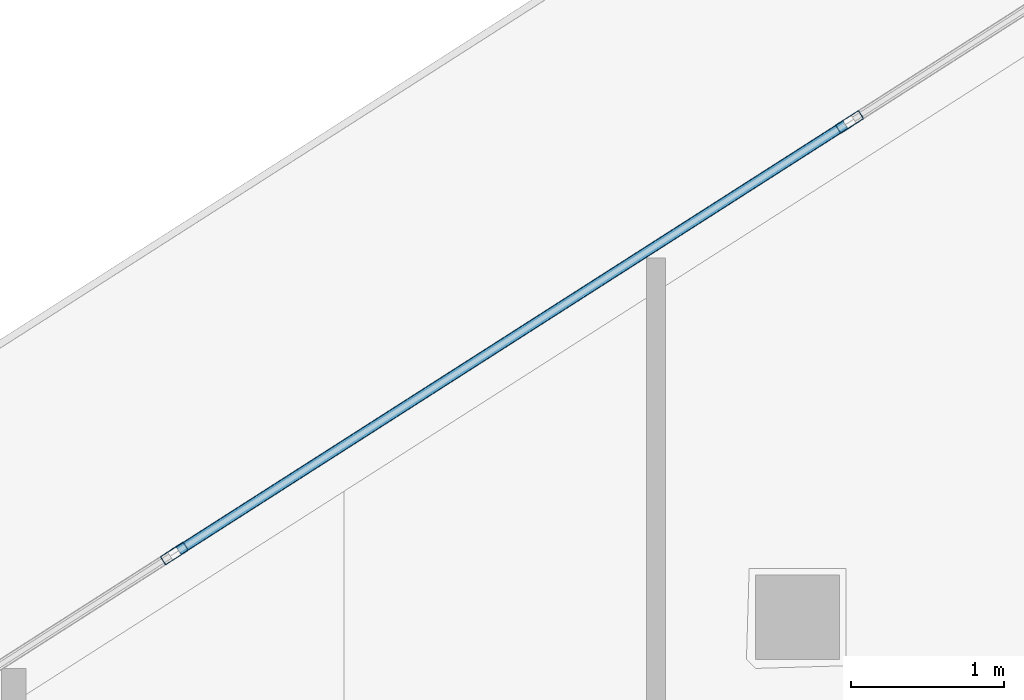
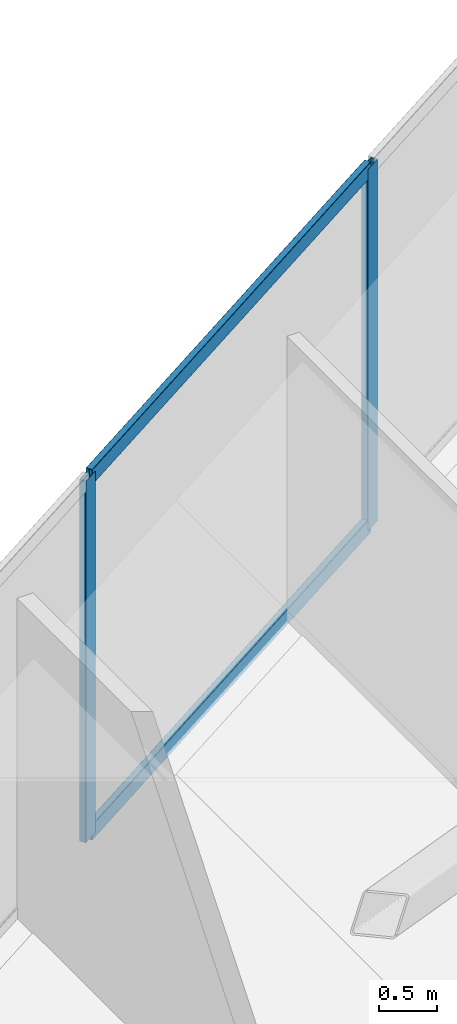
# One storey, part 22 of 43: 4 members, 1 element without a shape of its own.
"""IFC4 building model written with IfcOpenShell, lengths in metres."""

from ifc_helpers import new_model, si_unit, direction, frame, origin, origin_2d, place, context, subcontext, project, spatial, hollow_rectangle, extrude, material, layer, layer_set, material_profile, profile_set, type_object, element, aggregate, save


model = new_model("IFC4")

# Units and contexts
model_context = context("Model", 3, precision=1e-05, world=origin(), true_north=direction((0.0, 1.0)))
body_context = subcontext(model_context, "Body", "Model", "MODEL_VIEW")
ifc_project = project(units=[si_unit("LENGTHUNIT", "METRE"), si_unit("AREAUNIT", "SQUARE_METRE"), si_unit("VOLUMEUNIT", "CUBIC_METRE"), si_unit("PLANEANGLEUNIT", "RADIAN"), si_unit("MASSUNIT", "GRAM", prefix="KILO")], contexts=[model_context])

# Site, building, storey
site_placement = place(None, origin())
site = spatial("IfcSite", under=ifc_project, at=site_placement, CompositionType="ELEMENT")
building_placement = place(site_placement, origin())
building = spatial("IfcBuilding", under=site, at=building_placement, Name="Qorvath Tower", CompositionType="ELEMENT")
storey_placement = place(building_placement, frame((0.0, 0.0, 213.14990234375)))
storey = spatial("IfcBuildingStorey", under=building, at=storey_placement, Name="L49", CompositionType="ELEMENT", Elevation=213.14990234375)

# Curtain wall, members
ifc_material_1 = material(Name="Anodised aluminium and triple low-E glass", Category="aluminium")
ifc_layer = layer(ifc_material_1, 0.179931640625)
ifc_layer_set = layer_set([ifc_layer], Name="CW-SYS-3")
curtain_wall_type = type_object("IfcCurtainWallType", Name="CW-SYS-3", PredefinedType="NOTDEFINED", material=ifc_layer_set)
curtain_wall_placement = place(storey_placement, origin())
curtain_wall = element("IfcCurtainWall", 1, at=curtain_wall_placement, inside=storey, type_object=curtain_wall_type, Name="Curtain Wall CW-3 CW-T-L49-16.1", PredefinedType="NOTDEFINED")
ifc_material_2 = material(Name="Anodised aluminium 6063-T6", Category="aluminium")
ifc_material_profile_1 = material_profile(ifc_material_2, hollow_rectangle(XDim=0.06494140625, YDim=0.179931640625, WallThickness=0.00341796875, InnerFilletRadius=0.00341796875, OuterFilletRadius=0.007080078125, at=origin_2d()), Name="CWM 180x65")
ifc_profile_set_1 = profile_set([ifc_material_profile_1], Name="Anodised aluminium 6063-T6")
member_type_1 = type_object("IfcMemberType", Name="CWM-180", PredefinedType="MULLION", material=ifc_profile_set_1)
member_1_placement = place(storey_placement, frame((-21.71337890625, 23.735595703125, 0.0), z_axis=(0.0, 0.0, 1.0), x_axis=(0.538532455845, -0.842604767374, 0.0)))
member_1 = element("IfcMember", 2, at=member_1_placement, type_object=member_type_1, Name="CW-3 mullion 2", PredefinedType="MULLION", context=body_context, shape_type="SweptSolid", body=[
    extrude(hollow_rectangle(XDim=0.06494140625, YDim=0.179931640625, WallThickness=0.00341796875, InnerFilletRadius=0.00341796875, OuterFilletRadius=0.007080078125, at=origin_2d()), origin(), (0.0, 0.0, 1.0), 3.780029296875),
])
member_2_placement = place(storey_placement, frame((-26.131103515625, 20.912109375, 0.0), z_axis=(0.0, 0.0, 1.0), x_axis=(0.538532455845, -0.842604767374, 0.0)))
member_2 = element("IfcMember", 3, at=member_2_placement, type_object=member_type_1, Name="CW-3 mullion 3", PredefinedType="MULLION", context=body_context, shape_type="SweptSolid", body=[
    extrude(hollow_rectangle(XDim=0.06494140625, YDim=0.179931640625, WallThickness=0.00341796875, InnerFilletRadius=0.00341796875, OuterFilletRadius=0.007080078125, at=origin_2d()), origin(), (0.0, 0.0, 1.0), 3.780029296875),
])
ifc_material_3 = material(Name="Anodised aluminium 6063-T6", Category="aluminium")
ifc_material_profile_2 = material_profile(ifc_material_3, hollow_rectangle(XDim=0.06494140625, YDim=0.159912109375, WallThickness=0.00341796875, InnerFilletRadius=0.00341796875, OuterFilletRadius=0.007080078125, at=origin_2d()), Name="CWT 160x65")
ifc_profile_set_2 = profile_set([ifc_material_profile_2], Name="Anodised aluminium 6063-T6")
member_type_2 = type_object("IfcMemberType", Name="CWT-160", PredefinedType="USERDEFINED", material=ifc_profile_set_2)
member_3_placement = place(storey_placement, frame((-21.74072265625, 23.718017578125, 0.032470703125), z_axis=(-0.84262316261, -0.538503672999, 0.0), x_axis=(0.538503672999, -0.84262316261, 0.0)))
member_3 = element("IfcMember", 4, at=member_3_placement, type_object=member_type_2, Name="CW-3 transom 2.1", ObjectType="TRANSOM", PredefinedType="USERDEFINED", context=body_context, shape_type="SweptSolid", body=[
    extrude(hollow_rectangle(XDim=0.06494140625, YDim=0.159912109375, WallThickness=0.00341796875, InnerFilletRadius=0.00341796875, OuterFilletRadius=0.007080078125, at=origin_2d()), origin(), (0.0, 0.0, 1.0), 5.177978515625),
])
member_4_placement = place(storey_placement, frame((-21.74072265625, 23.718017578125, 3.74755859375), z_axis=(-0.84262316261, -0.538503672999, 0.0), x_axis=(0.538503672999, -0.84262316261, 0.0)))
member_4 = element("IfcMember", 5, at=member_4_placement, type_object=member_type_2, Name="CW-3 transom 2.2", ObjectType="TRANSOM", PredefinedType="USERDEFINED", context=body_context, shape_type="SweptSolid", body=[
    extrude(hollow_rectangle(XDim=0.06494140625, YDim=0.159912109375, WallThickness=0.00341796875, InnerFilletRadius=0.00341796875, OuterFilletRadius=0.007080078125, at=origin_2d()), origin(), (0.0, 0.0, 1.0), 5.177978515625),
])
aggregate(curtain_wall, [member_1, member_2, member_3, member_4])

save(model, "model.ifc")
